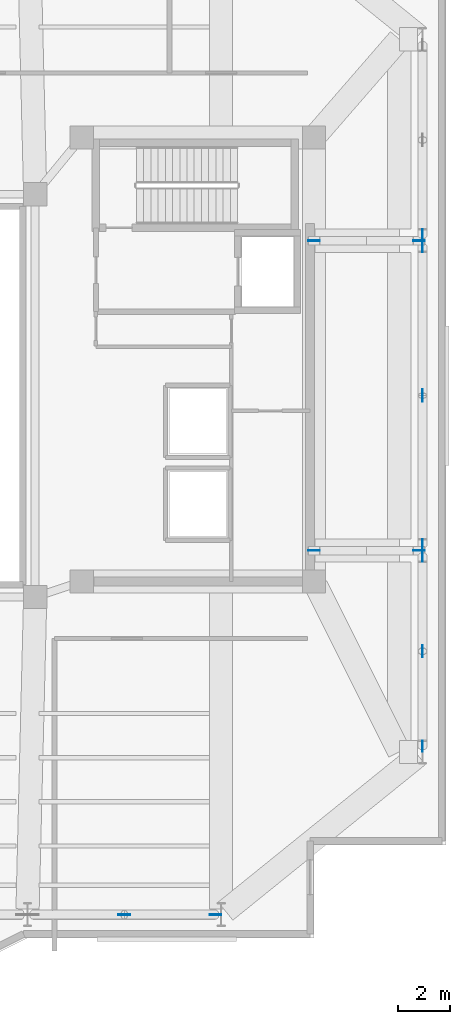
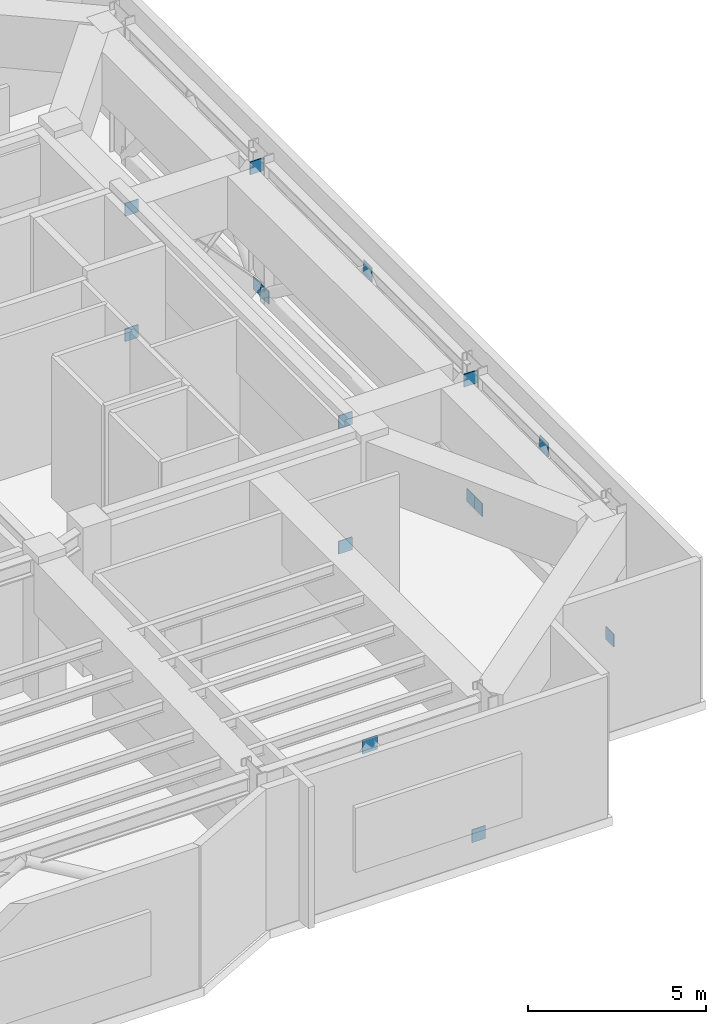
# One storey, part 5 of 13: 15 plates.
"""IFC4 building model written with IfcOpenShell, lengths in metres."""

from ifc_helpers import new_model, si_unit, direction, frame, origin, origin_2d, place, context, subcontext, project, spatial, rectangle, extrude, material, layer, layer_set, type_object, element, save


model = new_model("IFC4")

# Units and contexts
model_context = context("Model", 3, precision=1e-05, world=origin(), true_north=direction((0.0, 1.0)))
body_context = subcontext(model_context, "Body", "Model", "MODEL_VIEW")
ifc_project = project(units=[si_unit("LENGTHUNIT", "METRE"), si_unit("AREAUNIT", "SQUARE_METRE"), si_unit("VOLUMEUNIT", "CUBIC_METRE"), si_unit("PLANEANGLEUNIT", "RADIAN"), si_unit("MASSUNIT", "GRAM", prefix="KILO")], contexts=[model_context])

# Site, building, storey
site_placement = place(None, origin())
site = spatial("IfcSite", under=ifc_project, at=site_placement, CompositionType="ELEMENT")
building_placement = place(site_placement, origin())
building = spatial("IfcBuilding", under=site, at=building_placement, Name="Tarnavaz Court Tower", CompositionType="ELEMENT")
storey_placement = place(building_placement, frame((0.0, 0.0, 236.39990234375)))
storey = spatial("IfcBuildingStorey", under=building, at=storey_placement, Name="L64", CompositionType="ELEMENT", Elevation=236.39990234375)

# Plates
ifc_material = material(Name="Steel S355", Category="steel")
ifc_layer = layer(ifc_material, 0.030029296875)
ifc_layer_set = layer_set([ifc_layer], Name="Steel S355")
plate_type = type_object("IfcPlateType", Name="PL-GUSSET-30", PredefinedType="USERDEFINED", material=ifc_layer_set)
for number, where, z_axis, x_axis, name in (
    (1, (11.25, -20.10009765625, 4.260009765625), (0.0, 0.0, 1.0), (1.0, 0.0, 0.0), "L64 Belt Truss Apex Gusset & End-Cap Plate 06"),
    (2, (22.800048828125, -9.89990234375, 4.260009765625), (0.0, 0.0, 1.0), (0.0, 1.0, 0.0), "L64 Belt Truss Apex Gusset & End-Cap Plate 07"),
    (3, (22.800048828125, 0.0, 4.260009765625), (0.0, 0.0, 1.0), (0.0, 1.0, 0.0), "L64 Belt Truss Apex Gusset & End-Cap Plate 08"),
):
    element("IfcPlate", number, at=place(storey_placement, frame(where, z_axis=z_axis, x_axis=x_axis)), inside=storey, type_object=plate_type, Name=name, ObjectType="GUSSET PLATE", PredefinedType="USERDEFINED", context=body_context, shape_type="SweptSolid", body=[
        extrude(rectangle(XDim=0.47998046875, YDim=0.030029296875, at=origin_2d()), origin(), (0.0, 0.0, 1.0), 0.47998046875),
    ])
for number, where, z_axis, x_axis, name in (
    (4, (14.780029296875, -20.10009765625, -0.019775390625), (0.0, 0.0, 1.0), (1.0, 0.0, 0.0), "L64 Structural Brace & Strut End Gusset Plate 122"),
    (5, (22.800048828125, -13.580078125, -0.019775390625), (0.0, 0.0, 1.0), (0.0, 1.0, 0.0), "L64 Structural Brace & Strut End Gusset Plate 123"),
    (6, (22.800048828125, -6.219970703125, -0.019775390625), (0.0, 0.0, 1.0), (0.0, 1.0, 0.0), "L64 Structural Brace & Strut End Gusset Plate 124"),
    (7, (22.800048828125, -5.780029296875, -0.019775390625), (0.0, 0.0, 1.0), (0.0, 1.0, 0.0), "L64 Structural Brace & Strut End Gusset Plate 125"),
    (8, (22.800048828125, 5.780029296875, -0.019775390625), (0.0, 0.0, 1.0), (0.0, 1.0, 0.0), "L64 Structural Brace & Strut End Gusset Plate 126"),
    (9, (22.800048828125, 6.219970703125, -0.019775390625), (0.0, 0.0, 1.0), (0.0, 1.0, 0.0), "L64 Structural Brace & Strut End Gusset Plate 127"),
    (10, (18.60009765625, -6.0, -0.019775390625), (0.0, 0.0, 1.0), (1.0, 0.0, 0.0), "L64 Structural Brace & Strut End Gusset Plate 135"),
    (11, (22.659912109375, -6.0, 4.280029296875), (0.0, 0.0, 1.0), (1.0, 0.0, 0.0), "L64 Structural Brace & Strut End Gusset Plate 136"),
    (12, (18.60009765625, -6.0, 4.280029296875), (0.0, 0.0, 1.0), (1.0, 0.0, 0.0), "L64 Structural Brace & Strut End Gusset Plate 137"),
    (13, (18.60009765625, 6.0, -0.019775390625), (0.0, 0.0, 1.0), (1.0, 0.0, 0.0), "L64 Structural Brace & Strut End Gusset Plate 138"),
    (14, (22.659912109375, 6.0, 4.280029296875), (0.0, 0.0, 1.0), (1.0, 0.0, 0.0), "L64 Structural Brace & Strut End Gusset Plate 139"),
    (15, (18.60009765625, 6.0, 4.280029296875), (0.0, 0.0, 1.0), (1.0, 0.0, 0.0), "L64 Structural Brace & Strut End Gusset Plate 140"),
):
    element("IfcPlate", number, at=place(storey_placement, frame(where, z_axis=z_axis, x_axis=x_axis)), inside=storey, type_object=plate_type, Name=name, ObjectType="GUSSET PLATE", PredefinedType="USERDEFINED", context=body_context, shape_type="SweptSolid", body=[
        extrude(rectangle(XDim=0.43994140625, YDim=0.030029296875, at=origin_2d()), origin(), (0.0, 0.0, 1.0), 0.43994140625),
    ])

save(model, "model.ifc")
